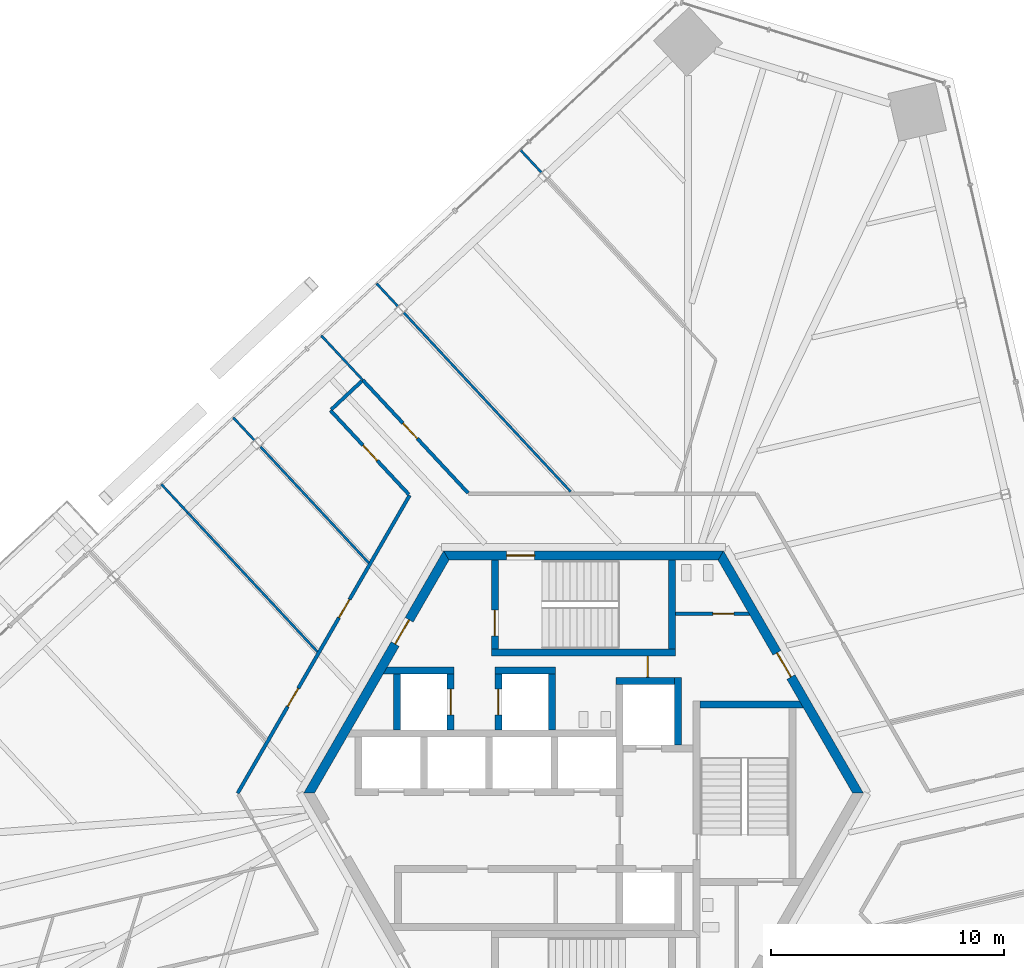
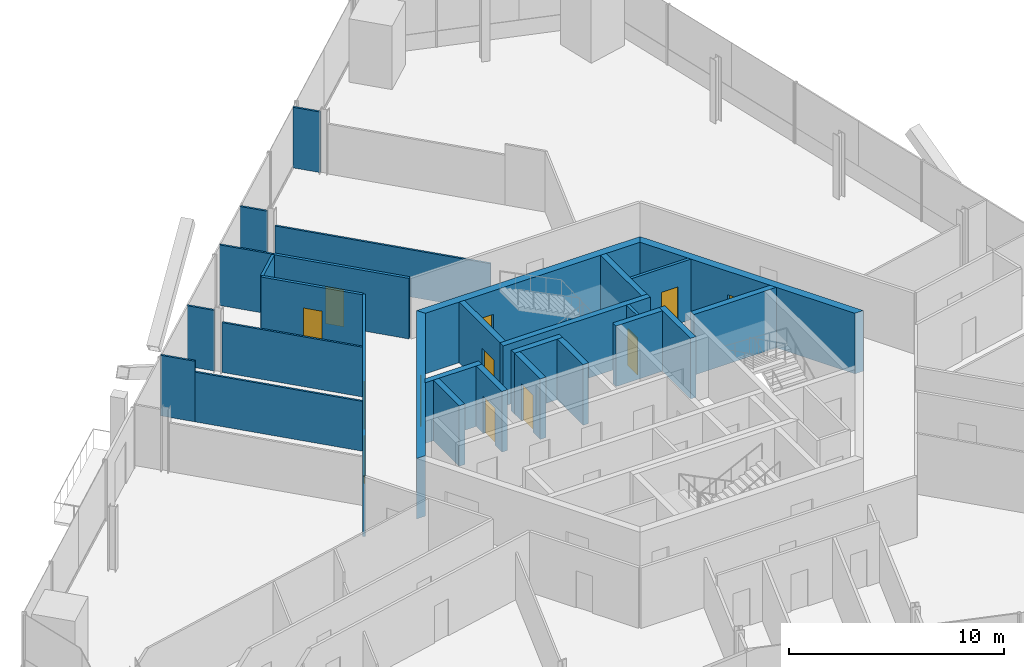
# One storey, part 15 of 20: 29 walls, 12 doors, 12 openings.
"""IFC4 building model written with IfcOpenShell, lengths in metres."""

from ifc_helpers import new_model, si_unit, direction, frame, frame_2d, origin, place, context, subcontext, project, spatial, polyline, rectangle, outline, extrude, source, transform, mapped, material, layer, layer_set, type_object, element, fill, save


model = new_model("IFC4")

# Units and contexts
model_context = context("Model", 3, precision=1e-05, world=origin(), true_north=direction((0.0, 1.0)))
body_context = subcontext(model_context, "Body", "Model", "MODEL_VIEW")
ifc_project = project(units=[si_unit("LENGTHUNIT", "METRE"), si_unit("AREAUNIT", "SQUARE_METRE"), si_unit("VOLUMEUNIT", "CUBIC_METRE"), si_unit("PLANEANGLEUNIT", "RADIAN"), si_unit("MASSUNIT", "GRAM", prefix="KILO")], contexts=[model_context])

# Site, building, storey
site_placement = place(None, origin())
site = spatial("IfcSite", under=ifc_project, at=site_placement, CompositionType="ELEMENT")
building_placement = place(site_placement, origin())
building = spatial("IfcBuilding", under=site, at=building_placement, Name="Triune Harvest Tower", CompositionType="ELEMENT")
storey_placement = place(building_placement, frame((0.0, 0.0, 116.300048828125)))
storey = spatial("IfcBuildingStorey", under=building, at=storey_placement, Name="L29", CompositionType="ELEMENT", Elevation=116.300048828125)

# Wall, opening, door
ifc_material_1 = material(Name="Gypsum board on steel studs", Category="steel")
ifc_layer_1 = layer(ifc_material_1, 0.14990234375)
ifc_layer_set_1 = layer_set([ifc_layer_1], Name="Gypsum board on steel studs")
wall_type_1 = type_object("IfcWallType", Name="Fire Partition 150 mm", PredefinedType="PARTITIONING", material=ifc_layer_set_1)
wall_1_placement = place(storey_placement, frame((-9.462890625, 17.709716796875, 0.0), z_axis=(0.0, 0.0, 1.0), x_axis=(0.68200524007, -0.731347285848, 0.0)))
wall_1 = element("IfcWall", 1, at=wall_1_placement, inside=storey, type_object=wall_type_1, Name="Partition L29 017", PredefinedType="PARTITIONING", context=body_context, shape_type="SweptSolid", body=[
    extrude(rectangle(XDim=6.615478515625, YDim=0.14990234375, at=frame_2d((3.3076171875, 0.0))), origin(), (0.0, 0.0, 1.0), 3.43994140625),
])
opening_1_placement = place(wall_1_placement, frame((2.525146484375, 0.0, 0.0)))
opening_1 = element("IfcOpeningElement", 2, at=opening_1_placement, cuts=wall_1, Name="Opening L29-011", PredefinedType="OPENING", context=body_context, shape_type="SweptSolid", body=[
    extrude(rectangle(XDim=0.89990234375, YDim=2.10009765625, at=frame_2d((0.449951171875, 1.050048828125))), frame((0.0, 0.0849609375, 0.0), z_axis=(0.0, -1.0, 0.0), x_axis=(1.0, 0.0, 0.0)), (0.0, 0.0, 1.0), 0.169921875),
])
ifc_material_2 = material(Name="Timber and steel door set", Category="steel")
door_type_1 = type_object("IfcDoorType", Name="Single leaf door FD30 left hand 900 x 2100", OperationType="SINGLE_SWING_LEFT", PredefinedType="DOOR", material=ifc_material_2)
door_1_placement = place(opening_1_placement, origin())
door_1 = element("IfcDoor", 3, at=door_1_placement, inside=storey, type_object=door_type_1, Name="Door L29-011 Office 29.11", OperationType="SINGLE_SWING_LEFT", OverallHeight=2.10009765625, OverallWidth=0.89990234375, PredefinedType="DOOR", context=body_context, shape_type="SweptSolid", body=[
    extrude(rectangle(XDim=0.89990234375, YDim=2.10009765625, at=frame_2d((0.449951171875, 1.050048828125))), frame((0.0, 0.02490234375, 0.0), z_axis=(0.0, -1.0, 0.0), x_axis=(1.0, 0.0, 0.0)), (0.0, 0.0, 1.0), 0.050048828125),
])
fill(opening_1, door_1)

# Wall
ifc_material_3 = material(Name="Gypsum board on steel studs", Category="steel")
ifc_layer_2 = layer(ifc_material_3, 0.10009765625)
ifc_layer_set_2 = layer_set([ifc_layer_2], Name="Gypsum board on steel studs")
wall_type_2 = type_object("IfcWallType", Name="Partition 100 mm", PredefinedType="PARTITIONING", material=ifc_layer_set_2)
wall_2_placement = place(storey_placement, frame((-16.957763671875, 12.01611328125, 0.0), z_axis=(0.0, 0.0, 1.0), x_axis=(0.681993340817, -0.731358382109, 0.0)))
element("IfcWall", 4, at=wall_2_placement, inside=storey, type_object=wall_type_2, Name="Partition L29 009a", PredefinedType="PARTITIONING", context=body_context, shape_type="SweptSolid", body=[
    extrude(rectangle(XDim=8.140380859375, YDim=0.10009765625, at=frame_2d((4.0703125, 0.0))), origin(), (0.0, 0.0, 1.0), 2.82763671875),
])

# Wall, opening, door
ifc_material_4 = material(Name="Concrete 70 MPa", Category="concrete")
ifc_layer_3 = layer(ifc_material_4, 0.39990234375)
ifc_layer_set_3 = layer_set([ifc_layer_3], Name="Concrete 70 MPa")
wall_type_3 = type_object("IfcWallType", Name="Core wall 400", PredefinedType="SHEAR", material=ifc_layer_set_3)
shared_shape_1 = source(origin(), body_context, "Body", "SweptSolid", [
    extrude(outline(polyline([(-0.115478515625, -0.199951171875), (11.884521484375, -0.199951171875), (11.653564453125, 0.199951171875), (0.115478515625, 0.199951171875), (-0.115478515625, -0.199951171875)])), origin(), (0.0, 0.0, 1.0), 3.43994140625),
])
wall_3_placement = place(storey_placement, frame((11.76904296875, 0.0, 0.0), z_axis=(0.0, 0.0, 1.0), x_axis=(-0.499996592174, 0.866027371285, 0.0)))
wall_3 = element("IfcWall", 5, at=wall_3_placement, inside=storey, type_object=wall_type_3, Name="Hexagon 0 wall", PredefinedType="SHEAR", context=body_context, shape_type="MappedRepresentation", body=[
    mapped(shared_shape_1, transform((0.0, 0.0, 0.0), scale=1.0)),
])
opening_2_placement = place(wall_3_placement, frame((5.75048828125, 0.0, 0.0)))
opening_2 = element("IfcOpeningElement", 6, at=opening_2_placement, cuts=wall_3, Name="Opening CD-WCP", PredefinedType="OPENING", context=body_context, shape_type="SweptSolid", body=[
    extrude(rectangle(XDim=1.199951171875, YDim=2.10009765625, at=frame_2d((0.60009765625, 1.050048828125))), frame((0.0, 0.2099609375, 0.0), z_axis=(0.0, -1.0, 0.0), x_axis=(1.0, 0.0, 0.0)), (0.0, 0.0, 1.0), 0.419921875),
])
ifc_material_5 = material(Name="Steel S235", Category="steel")
door_type_2 = type_object("IfcDoorType", Name="Lobby door 1200 FD120", OperationType="SINGLE_SWING_LEFT", PredefinedType="DOOR", material=ifc_material_5)
door_2_placement = place(opening_2_placement, frame((1.199951171875, 0.0, 0.0), z_axis=(0.0, 0.0, 1.0), x_axis=(-1.0, 0.0, 0.0)))
door_2 = element("IfcDoor", 7, at=door_2_placement, inside=storey, type_object=door_type_2, Name="Door CD-WCP", OperationType="SINGLE_SWING_RIGHT", OverallHeight=2.10009765625, OverallWidth=1.199951171875, PredefinedType="DOOR", context=body_context, shape_type="SweptSolid", body=[
    extrude(rectangle(XDim=1.199951171875, YDim=2.10009765625, at=frame_2d((0.60009765625, 1.050048828125))), frame((0.0, 0.02490234375, 0.0), z_axis=(0.0, -1.0, 0.0), x_axis=(1.0, 0.0, 0.0)), (0.0, 0.0, 1.0), 0.050048828125),
])
fill(opening_2, door_2)

wall_4_placement = place(storey_placement, frame((5.884521484375, 10.1923828125, 0.0), z_axis=(0.0, 0.0, 1.0), x_axis=(-1.0, 0.0, 0.0)))
wall_4 = element("IfcWall", 8, at=wall_4_placement, inside=storey, type_object=wall_type_3, Name="Hexagon 1 wall", PredefinedType="SHEAR", context=body_context, shape_type="MappedRepresentation", body=[
    mapped(shared_shape_1, transform((0.0, 0.0, 0.0), scale=1.0)),
])
opening_3_placement = place(wall_4_placement, frame((7.984619140625, 0.0, 0.0)))
opening_3 = element("IfcOpeningElement", 9, at=opening_3_placement, cuts=wall_4, Name="Opening CD-S1P", PredefinedType="OPENING", context=body_context, shape_type="SweptSolid", body=[
    extrude(rectangle(XDim=1.199951171875, YDim=2.10009765625, at=frame_2d((0.60009765625, 1.050048828125))), frame((0.0, 0.2099609375, 0.0), z_axis=(0.0, -1.0, 0.0), x_axis=(1.0, 0.0, 0.0)), (0.0, 0.0, 1.0), 0.419921875),
])
ifc_material_6 = material(Name="Steel S235", Category="steel")
door_type_3 = type_object("IfcDoorType", Name="Stair door 1200 FD120", OperationType="SINGLE_SWING_LEFT", PredefinedType="DOOR", material=ifc_material_6)
door_3_placement = place(opening_3_placement, frame((1.199951171875, 0.0, 0.0), z_axis=(0.0, 0.0, 1.0), x_axis=(-1.0, 0.0, 0.0)))
door_3 = element("IfcDoor", 10, at=door_3_placement, inside=storey, type_object=door_type_3, Name="Door CD-S1P", OperationType="SINGLE_SWING_RIGHT", OverallHeight=2.10009765625, OverallWidth=1.199951171875, PredefinedType="DOOR", context=body_context, shape_type="SweptSolid", body=[
    extrude(rectangle(XDim=1.199951171875, YDim=2.10009765625, at=frame_2d((0.60009765625, 1.050048828125))), frame((0.0, 0.02490234375, 0.0), z_axis=(0.0, -1.0, 0.0), x_axis=(1.0, 0.0, 0.0)), (0.0, 0.0, 1.0), 0.050048828125),
])
fill(opening_3, door_3)

wall_5_placement = place(storey_placement, frame((-5.884521484375, 10.1923828125, 0.0), z_axis=(0.0, 0.0, 1.0), x_axis=(-0.499996592174, -0.866027371285, 0.0)))
wall_5 = element("IfcWall", 11, at=wall_5_placement, inside=storey, type_object=wall_type_3, Name="Hexagon 2 wall", PredefinedType="SHEAR", context=body_context, shape_type="MappedRepresentation", body=[
    mapped(shared_shape_1, transform((0.0, 0.0, 0.0), scale=1.0)),
])
opening_4_placement = place(wall_5_placement, frame((3.1845703125, 0.0, 0.0)))
opening_4 = element("IfcOpeningElement", 12, at=opening_4_placement, cuts=wall_5, Name="Opening CD-SVP", PredefinedType="OPENING", context=body_context, shape_type="SweptSolid", body=[
    extrude(rectangle(XDim=1.199951171875, YDim=2.10009765625, at=frame_2d((0.60009765625, 1.050048828125))), frame((0.0, 0.2099609375, 0.0), z_axis=(0.0, -1.0, 0.0), x_axis=(1.0, 0.0, 0.0)), (0.0, 0.0, 1.0), 0.419921875),
])
ifc_material_7 = material(Name="Steel S235", Category="steel")
door_type_4 = type_object("IfcDoorType", Name="Service door 1200 FD120", OperationType="SINGLE_SWING_LEFT", PredefinedType="DOOR", material=ifc_material_7)
door_4_placement = place(opening_4_placement, frame((1.199951171875, 0.0, 0.0), z_axis=(0.0, 0.0, 1.0), x_axis=(-1.0, 0.0, 0.0)))
door_4 = element("IfcDoor", 13, at=door_4_placement, inside=storey, type_object=door_type_4, Name="Door CD-SVP", OperationType="SINGLE_SWING_RIGHT", OverallHeight=2.10009765625, OverallWidth=1.199951171875, PredefinedType="DOOR", context=body_context, shape_type="SweptSolid", body=[
    extrude(rectangle(XDim=1.199951171875, YDim=2.10009765625, at=frame_2d((0.60009765625, 1.050048828125))), frame((0.0, 0.02490234375, 0.0), z_axis=(0.0, -1.0, 0.0), x_axis=(1.0, 0.0, 0.0)), (0.0, 0.0, 1.0), 0.050048828125),
])
fill(opening_4, door_4)

# Walls
ifc_material_8 = material(Name="Concrete 70 MPa", Category="concrete")
ifc_layer_4 = layer(ifc_material_8, 0.300048828125)
ifc_layer_set_4 = layer_set([ifc_layer_4], Name="Concrete 70 MPa")
wall_type_4 = type_object("IfcWallType", Name="Core wall 300", PredefinedType="SHEAR", material=ifc_layer_set_4)
shared_shape_2 = source(origin(), body_context, "Body", "SweptSolid", [
    extrude(rectangle(XDim=2.5, YDim=0.300048828125, at=frame_2d((1.25, 0.0))), origin(), (0.0, 0.0, 1.0), 3.43994140625),
])
wall_6_placement = place(storey_placement, frame((1.39990234375, 4.81005859375, 0.0), z_axis=(0.0, 0.0, 1.0), x_axis=(1.0, 0.0, 0.0)))
element("IfcWall", 14, at=wall_6_placement, inside=storey, type_object=wall_type_4, Name="Ff1 back wall", PredefinedType="SHEAR", context=body_context, shape_type="MappedRepresentation", body=[
    mapped(shared_shape_2, transform((0.0, 0.0, 0.0), scale=1.0)),
])
shared_shape_3 = source(origin(), body_context, "Body", "SweptSolid", [
    extrude(rectangle(XDim=2.89990234375, YDim=0.300048828125, at=frame_2d((1.449951171875, 0.0))), origin(), (0.0, 0.0, 1.0), 3.43994140625),
])
wall_7_placement = place(storey_placement, frame((4.050048828125, 2.06005859375, 0.0), z_axis=(0.0, 0.0, 1.0), x_axis=(0.0, 1.0, 0.0)))
element("IfcWall", 15, at=wall_7_placement, inside=storey, type_object=wall_type_4, Name="Ff1 east wall", PredefinedType="SHEAR", context=body_context, shape_type="MappedRepresentation", body=[
    mapped(shared_shape_3, transform((0.0, 0.0, 0.0), scale=1.0)),
])
shared_shape_4 = source(origin(), body_context, "Body", "SweptSolid", [
    extrude(outline(polyline([(0.0, -0.14990234375), (0.0, 0.14990234375), (4.260009765625, 0.14990234375), (4.43310546875, -0.14990234375), (0.0, -0.14990234375)])), origin(), (0.0, 0.0, 1.0), 3.43994140625),
])
wall_8_placement = place(storey_placement, frame((5.0, 3.800048828125, 0.0), z_axis=(0.0, 0.0, 1.0), x_axis=(1.0, 0.0, 0.0)))
element("IfcWall", 16, at=wall_8_placement, inside=storey, type_object=wall_type_4, Name="Stair e north wall", PredefinedType="SHEAR", context=body_context, shape_type="MappedRepresentation", body=[
    mapped(shared_shape_4, transform((0.0, 0.0, 0.0), scale=1.0)),
])
shared_shape_5 = source(origin(), body_context, "Body", "SweptSolid", [
    extrude(rectangle(XDim=7.89990234375, YDim=0.300048828125, at=frame_2d((3.949951171875, 0.0))), origin(), (0.0, 0.0, 1.0), 3.43994140625),
])
wall_9_placement = place(storey_placement, frame((-3.949951171875, 6.0400390625, 0.0), z_axis=(0.0, 0.0, 1.0), x_axis=(1.0, 0.0, 0.0)))
element("IfcWall", 17, at=wall_9_placement, inside=storey, type_object=wall_type_4, Name="Stair n south wall", PredefinedType="SHEAR", context=body_context, shape_type="MappedRepresentation", body=[
    mapped(shared_shape_5, transform((0.0, 0.0, 0.0), scale=1.0)),
])

# Wall, opening, door
shared_shape_6 = source(origin(), body_context, "Body", "SweptSolid", [
    extrude(outline(polyline([(0.0, -0.14990234375), (0.0, 0.14990234375), (3.80419921875, 0.14990234375), (3.80419921875, -0.14990234375), (0.0, -0.14990234375)])), origin(), (0.0, 0.0, 1.0), 3.43994140625),
])
wall_10_placement = place(storey_placement, frame((-3.800048828125, 6.18994140625, 0.0), z_axis=(0.0, 0.0, 1.0), x_axis=(0.0, 1.0, 0.0)))
wall_10 = element("IfcWall", 18, at=wall_10_placement, inside=storey, type_object=wall_type_4, Name="Stair n west wall", PredefinedType="SHEAR", context=body_context, shape_type="MappedRepresentation", body=[
    mapped(shared_shape_6, transform((0.0, 0.0, 0.0), scale=1.0)),
])
opening_5_placement = place(wall_10_placement, frame((0.56005859375, 0.0, 0.0)))
opening_5 = element("IfcOpeningElement", 19, at=opening_5_placement, cuts=wall_10, Name="Opening CD-S1L", PredefinedType="OPENING", context=body_context, shape_type="SweptSolid", body=[
    extrude(rectangle(XDim=1.10009765625, YDim=2.10009765625, at=frame_2d((0.550048828125, 1.050048828125))), frame((0.0, 0.16015625, 0.0), z_axis=(0.0, -1.0, 0.0), x_axis=(1.0, 0.0, 0.0)), (0.0, 0.0, 1.0), 0.320068359375),
])
ifc_material_9 = material(Name="Steel S235", Category="steel")
door_type_5 = type_object("IfcDoorType", Name="Stair door 1100 FD120", OperationType="SINGLE_SWING_LEFT", PredefinedType="DOOR", material=ifc_material_9)
door_5_placement = place(opening_5_placement, frame((1.10009765625, 0.0, 0.0), z_axis=(0.0, 0.0, 1.0), x_axis=(-1.0, 0.0, 0.0)))
door_5 = element("IfcDoor", 20, at=door_5_placement, inside=storey, type_object=door_type_5, Name="Door CD-S1L", OperationType="SINGLE_SWING_RIGHT", OverallHeight=2.10009765625, OverallWidth=1.10009765625, PredefinedType="DOOR", context=body_context, shape_type="SweptSolid", body=[
    extrude(rectangle(XDim=1.10009765625, YDim=2.10009765625, at=frame_2d((0.550048828125, 1.050048828125))), frame((0.0, 0.02490234375, 0.0), z_axis=(0.0, -1.0, 0.0), x_axis=(1.0, 0.0, 0.0)), (0.0, 0.0, 1.0), 0.050048828125),
])
fill(opening_5, door_5)

# Walls
wall_11_placement = place(storey_placement, frame((3.800048828125, 6.18994140625, 0.0), z_axis=(0.0, 0.0, 1.0), x_axis=(0.0, 1.0, 0.0)))
element("IfcWall", 21, at=wall_11_placement, inside=storey, type_object=wall_type_4, Name="Stair n east wall", PredefinedType="SHEAR", context=body_context, shape_type="MappedRepresentation", body=[
    mapped(shared_shape_6, transform((0.0, 0.0, 0.0), scale=1.0)),
])
shared_shape_7 = source(origin(), body_context, "Body", "SweptSolid", [
    extrude(outline(polyline([(2.60009765625, -0.14990234375), (-0.440185546875, -0.14990234375), (-0.26708984375, 0.14990234375), (2.60009765625, 0.14990234375), (2.60009765625, -0.14990234375)])), origin(), (0.0, 0.0, 1.0), 3.43994140625),
])
wall_12_placement = place(storey_placement, frame((-8.14990234375, 5.260009765625, 0.0), z_axis=(0.0, 0.0, 1.0), x_axis=(1.0, 0.0, 0.0)))
element("IfcWall", 22, at=wall_12_placement, inside=storey, type_object=wall_type_4, Name="Sv1 north wall", PredefinedType="SHEAR", context=body_context, shape_type="MappedRepresentation", body=[
    mapped(shared_shape_7, transform((0.0, 0.0, 0.0), scale=1.0)),
])
shared_shape_8 = source(origin(), body_context, "Body", "SweptSolid", [
    extrude(rectangle(XDim=2.400146484375, YDim=0.300048828125, at=frame_2d((1.2001953125, 0.0))), origin(), (0.0, 0.0, 1.0), 3.43994140625),
])
wall_13_placement = place(storey_placement, frame((-8.0, 2.7099609375, 0.0), z_axis=(0.0, 0.0, 1.0), x_axis=(0.0, 1.0, 0.0)))
element("IfcWall", 23, at=wall_13_placement, inside=storey, type_object=wall_type_4, Name="Sv1 west wall", PredefinedType="SHEAR", context=body_context, shape_type="MappedRepresentation", body=[
    mapped(shared_shape_8, transform((0.0, 0.0, 0.0), scale=1.0)),
])

# Wall, opening, door
wall_14_placement = place(storey_placement, frame((-5.699951171875, 2.7099609375, 0.0), z_axis=(0.0, 0.0, 1.0), x_axis=(0.0, 1.0, 0.0)))
wall_14 = element("IfcWall", 24, at=wall_14_placement, inside=storey, type_object=wall_type_4, Name="Sv1 east wall", PredefinedType="SHEAR", context=body_context, shape_type="MappedRepresentation", body=[
    mapped(shared_shape_8, transform((0.0, 0.0, 0.0), scale=1.0)),
])
opening_6_placement = place(wall_14_placement, frame((0.64990234375, 0.0, 0.0)))
opening_6 = element("IfcOpeningElement", 25, at=opening_6_placement, cuts=wall_14, Name="Opening LD-SV1-29", PredefinedType="OPENING", context=body_context, shape_type="SweptSolid", body=[
    extrude(rectangle(XDim=1.10009765625, YDim=2.10009765625, at=frame_2d((0.550048828125, 1.050048828125))), frame((0.0, 0.16015625, 0.0), z_axis=(0.0, -1.0, 0.0), x_axis=(1.0, 0.0, 0.0)), (0.0, 0.0, 1.0), 0.320068359375),
])
ifc_material_10 = material(Name="Stainless steel AISI 304", Category="steel")
door_type_6 = type_object("IfcDoorType", Name="Landing door 1100 x 2100", OperationType="DOUBLE_DOOR_SLIDING", PredefinedType="DOOR", material=ifc_material_10)
door_6_placement = place(opening_6_placement, origin())
door_6 = element("IfcDoor", 26, at=door_6_placement, inside=storey, type_object=door_type_6, Name="Door LD-SV1-29", OperationType="DOUBLE_DOOR_SLIDING", OverallHeight=2.10009765625, OverallWidth=1.10009765625, PredefinedType="DOOR", context=body_context, shape_type="SweptSolid", body=[
    extrude(rectangle(XDim=1.10009765625, YDim=2.10009765625, at=frame_2d((0.550048828125, 1.050048828125))), frame((0.0, 0.02490234375, 0.0), z_axis=(0.0, -1.0, 0.0), x_axis=(1.0, 0.0, 0.0)), (0.0, 0.0, 1.0), 0.050048828125),
])
fill(opening_6, door_6)

wall_15_placement = place(storey_placement, frame((-3.64990234375, 2.7099609375, 0.0), z_axis=(0.0, 0.0, 1.0), x_axis=(0.0, 1.0, 0.0)))
wall_15 = element("IfcWall", 27, at=wall_15_placement, inside=storey, type_object=wall_type_4, Name="Sv2 west wall", PredefinedType="SHEAR", context=body_context, shape_type="MappedRepresentation", body=[
    mapped(shared_shape_8, transform((0.0, 0.0, 0.0), scale=1.0)),
])
opening_7_placement = place(wall_15_placement, frame((0.64990234375, 0.0, 0.0)))
opening_7 = element("IfcOpeningElement", 28, at=opening_7_placement, cuts=wall_15, Name="Opening LD-SV2-29", PredefinedType="OPENING", context=body_context, shape_type="SweptSolid", body=[
    extrude(rectangle(XDim=1.10009765625, YDim=2.10009765625, at=frame_2d((0.550048828125, 1.050048828125))), frame((0.0, 0.16015625, 0.0), z_axis=(0.0, -1.0, 0.0), x_axis=(1.0, 0.0, 0.0)), (0.0, 0.0, 1.0), 0.320068359375),
])
door_7_placement = place(opening_7_placement, origin())
door_7 = element("IfcDoor", 29, at=door_7_placement, inside=storey, type_object=door_type_6, Name="Door LD-SV2-29", OperationType="DOUBLE_DOOR_SLIDING", OverallHeight=2.10009765625, OverallWidth=1.10009765625, PredefinedType="DOOR", context=body_context, shape_type="SweptSolid", body=[
    extrude(rectangle(XDim=1.10009765625, YDim=2.10009765625, at=frame_2d((0.550048828125, 1.050048828125))), frame((0.0, 0.02490234375, 0.0), z_axis=(0.0, -1.0, 0.0), x_axis=(1.0, 0.0, 0.0)), (0.0, 0.0, 1.0), 0.050048828125),
])
fill(opening_7, door_7)

# Walls
wall_16_placement = place(storey_placement, frame((-1.35009765625, 2.7099609375, 0.0), z_axis=(0.0, 0.0, 1.0), x_axis=(0.0, 1.0, 0.0)))
element("IfcWall", 30, at=wall_16_placement, inside=storey, type_object=wall_type_4, Name="Sv2 east wall", PredefinedType="SHEAR", context=body_context, shape_type="MappedRepresentation", body=[
    mapped(shared_shape_8, transform((0.0, 0.0, 0.0), scale=1.0)),
])
shared_shape_9 = source(origin(), body_context, "Body", "SweptSolid", [
    extrude(rectangle(XDim=2.60009765625, YDim=0.300048828125, at=frame_2d((1.300048828125, 0.0))), origin(), (0.0, 0.0, 1.0), 3.43994140625),
])
wall_17_placement = place(storey_placement, frame((-3.800048828125, 5.260009765625, 0.0), z_axis=(0.0, 0.0, 1.0), x_axis=(1.0, 0.0, 0.0)))
element("IfcWall", 31, at=wall_17_placement, inside=storey, type_object=wall_type_4, Name="Sv2 north wall", PredefinedType="SHEAR", context=body_context, shape_type="MappedRepresentation", body=[
    mapped(shared_shape_9, transform((0.0, 0.0, 0.0), scale=1.0)),
])

# Wall, opening, door
ifc_material_11 = material(Name="Concrete masonry unit", Category="masonry")
ifc_layer_5 = layer(ifc_material_11, 0.14990234375)
ifc_layer_set_5 = layer_set([ifc_layer_5], Name="Concrete masonry unit")
wall_type_5 = type_object("IfcWallType", Name="Block partition 150 unrated", PredefinedType="PARTITIONING", material=ifc_layer_set_5)
shared_shape_10 = source(origin(), body_context, "Body", "SweptSolid", [
    extrude(outline(polyline([(0.0, -0.074951171875), (0.0, 0.074951171875), (3.1015625, 0.074951171875), (3.18798828125, -0.074951171875), (0.0, -0.074951171875)])), origin(), (0.0, 0.0, 1.0), 3.43994140625),
])
wall_18_placement = place(storey_placement, frame((3.949951171875, 7.699951171875, 0.0), z_axis=(0.0, 0.0, 1.0), x_axis=(1.0, 0.0, 0.0)))
wall_18 = element("IfcWall", 32, at=wall_18_placement, inside=storey, type_object=wall_type_5, Name="Wc women south wall", PredefinedType="PARTITIONING", context=body_context, shape_type="MappedRepresentation", body=[
    mapped(shared_shape_10, transform((0.0, 0.0, 0.0), scale=1.0)),
])
opening_8_placement = place(wall_18_placement, frame((1.60009765625, 0.0, 0.0)))
opening_8 = element("IfcOpeningElement", 33, at=opening_8_placement, cuts=wall_18, Name="Opening CD-WW", PredefinedType="OPENING", context=body_context, shape_type="SweptSolid", body=[
    extrude(rectangle(XDim=0.89990234375, YDim=2.10009765625, at=frame_2d((0.449951171875, 1.050048828125))), frame((0.0, 0.0849609375, 0.0), z_axis=(0.0, -1.0, 0.0), x_axis=(1.0, 0.0, 0.0)), (0.0, 0.0, 1.0), 0.169921875),
])
ifc_material_12 = material(Name="Timber C24", Category="wood")
door_type_7 = type_object("IfcDoorType", Name="WC door 900", OperationType="SINGLE_SWING_LEFT", PredefinedType="DOOR", material=ifc_material_12)
door_8_placement = place(opening_8_placement, origin())
door_8 = element("IfcDoor", 34, at=door_8_placement, inside=storey, type_object=door_type_7, Name="Door CD-WW", OperationType="SINGLE_SWING_LEFT", OverallHeight=2.10009765625, OverallWidth=0.89990234375, PredefinedType="DOOR", context=body_context, shape_type="SweptSolid", body=[
    extrude(rectangle(XDim=0.89990234375, YDim=2.10009765625, at=frame_2d((0.449951171875, 1.050048828125))), frame((0.0, 0.02490234375, 0.0), z_axis=(0.0, -1.0, 0.0), x_axis=(1.0, 0.0, 0.0)), (0.0, 0.0, 1.0), 0.050048828125),
])
fill(opening_8, door_8)

shared_shape_11 = source(origin(), body_context, "Body", "SweptSolid", [
    extrude(rectangle(XDim=0.929931640625, YDim=0.14990234375, at=frame_2d((0.46484375, 0.0))), origin(), (0.0, 0.0, 1.0), 3.43994140625),
])
wall_19_placement = place(storey_placement, frame((2.75, 4.9599609375, 0.0), z_axis=(0.0, 0.0, 1.0), x_axis=(0.0, 1.0, 0.0)))
wall_19 = element("IfcWall", 35, at=wall_19_placement, inside=storey, type_object=wall_type_5, Name="Wc men east b wall", PredefinedType="PARTITIONING", context=body_context, shape_type="MappedRepresentation", body=[
    mapped(shared_shape_11, transform((0.0, 0.0, 0.0), scale=1.0)),
])
opening_9_placement = place(wall_19_placement, frame((0.014892578125, 0.0, 0.0)))
opening_9 = element("IfcOpeningElement", 36, at=opening_9_placement, cuts=wall_19, Name="Opening CD-WM", PredefinedType="OPENING", context=body_context, shape_type="SweptSolid", body=[
    extrude(rectangle(XDim=0.89990234375, YDim=2.10009765625, at=frame_2d((0.449951171875, 1.050048828125))), frame((0.0, 0.0849609375, 0.0), z_axis=(0.0, -1.0, 0.0), x_axis=(1.0, 0.0, 0.0)), (0.0, 0.0, 1.0), 0.169921875),
])
door_9_placement = place(opening_9_placement, origin())
door_9 = element("IfcDoor", 37, at=door_9_placement, inside=storey, type_object=door_type_7, Name="Door CD-WM", OperationType="SINGLE_SWING_LEFT", OverallHeight=2.10009765625, OverallWidth=0.89990234375, PredefinedType="DOOR", context=body_context, shape_type="SweptSolid", body=[
    extrude(rectangle(XDim=0.89990234375, YDim=2.10009765625, at=frame_2d((0.449951171875, 1.050048828125))), frame((0.0, 0.02490234375, 0.0), z_axis=(0.0, -1.0, 0.0), x_axis=(1.0, 0.0, 0.0)), (0.0, 0.0, 1.0), 0.050048828125),
])
fill(opening_9, door_9)

# Walls
shared_shape_12 = source(origin(), body_context, "Body", "SweptSolid", [
    extrude(rectangle(XDim=1.338134765625, YDim=0.10009765625, at=frame_2d((0.6689453125, 0.0))), origin(), (0.0, 0.0, 1.0), 3.43994140625),
])
for number, where, z_axis, x_axis, name in (
    (38, (-15.0205078125, 16.107421875, 0.0), (0.0, 0.0, 1.0), (0.68204515899, -0.731310058114, 0.0), "Partition L29 010"),
    (39, (-8.866455078125, 21.84619140625, 0.0), (0.0, 0.0, 1.0), (0.681954155979, -0.731394920096, 0.0), "Partition L29 019"),
    (40, (-2.71240234375, 27.584716796875, 0.0), (0.0, 0.0, 1.0), (0.68204515899, -0.731310058114, 0.0), "Partition L29 021"),
):
    element("IfcWall", number, at=place(storey_placement, frame(where, z_axis=z_axis, x_axis=x_axis)), inside=storey, type_object=wall_type_2, Name=name, PredefinedType="PARTITIONING", context=body_context, shape_type="MappedRepresentation", body=[
        mapped(shared_shape_12, transform((0.0, 0.0, 0.0), scale=1.0)),
    ])
shared_shape_13 = source(origin(), body_context, "Body", "SweptSolid", [
    extrude(rectangle(XDim=1.671142578125, YDim=0.10009765625, at=frame_2d((0.83544921875, 0.0))), origin(), (0.0, 0.0, 1.0), 3.43994140625),
])
wall_20_placement = place(storey_placement, frame((-18.097412109375, 13.23828125, 0.0), z_axis=(0.0, 0.0, 1.0), x_axis=(0.681985034639, -0.73136612755, 0.0)))
element("IfcWall", 41, at=wall_20_placement, inside=storey, type_object=wall_type_2, Name="Partition L29 009", PredefinedType="PARTITIONING", context=body_context, shape_type="MappedRepresentation", body=[
    mapped(shared_shape_13, transform((0.0, 0.0, 0.0), scale=1.0)),
])
shared_shape_14 = source(origin(), body_context, "Body", "SweptSolid", [
    extrude(rectangle(XDim=1.7900390625, YDim=0.14990234375, at=frame_2d((0.89501953125, 0.0))), origin(), (0.0, 0.0, 1.0), 3.43994140625),
])
wall_21_placement = place(storey_placement, frame((-10.81591796875, 16.447998046875, 0.0), z_axis=(0.0, 0.0, 1.0), x_axis=(0.731427056945, 0.681919687624, 0.0)))
element("IfcWall", 42, at=wall_21_placement, inside=storey, type_object=wall_type_1, Name="Partition L29 046", PredefinedType="PARTITIONING", context=body_context, shape_type="MappedRepresentation", body=[
    mapped(shared_shape_14, transform((0.0, 0.0, 0.0), scale=1.0)),
])
shared_shape_15 = source(origin(), body_context, "Body", "SweptSolid", [
    extrude(rectangle(XDim=6.825927734375, YDim=0.10009765625, at=frame_2d((3.4130859375, 0.0))), origin(), (0.0, 0.0, 1.0), 2.82763671875),
])
wall_22_placement = place(storey_placement, frame((-13.861572265625, 14.86474609375, 0.0), z_axis=(0.0, 0.0, 1.0), x_axis=(0.681997049961, -0.731354923306, 0.0)))
element("IfcWall", 43, at=wall_22_placement, inside=storey, type_object=wall_type_2, Name="Partition L29 011", PredefinedType="PARTITIONING", context=body_context, shape_type="MappedRepresentation", body=[
    mapped(shared_shape_15, transform((0.0, 0.0, 0.0), scale=1.0)),
])
shared_shape_16 = source(origin(), body_context, "Body", "SweptSolid", [
    extrude(rectangle(XDim=10.491943359375, YDim=0.10009765625, at=frame_2d((5.24609375, 0.0))), origin(), (0.0, 0.0, 1.0), 2.682861328125),
])
wall_23_placement = place(storey_placement, frame((-7.707763671875, 20.603515625, 0.0), z_axis=(0.0, 0.0, 1.0), x_axis=(0.681998992862, -0.731353111524, 0.0)))
element("IfcWall", 44, at=wall_23_placement, inside=storey, type_object=wall_type_2, Name="Partition L29 020", PredefinedType="PARTITIONING", context=body_context, shape_type="MappedRepresentation", body=[
    mapped(shared_shape_16, transform((0.0, 0.0, 0.0), scale=1.0)),
])

# Wall, opening, door
shared_shape_17 = source(origin(), body_context, "Body", "SweptSolid", [
    extrude(rectangle(XDim=4.9306640625, YDim=0.14990234375, at=frame_2d((2.46533203125, 0.0))), origin(), (0.0, 0.0, 1.0), 3.43994140625),
])
wall_24_placement = place(storey_placement, frame((-10.852294921875, 16.413818359375, 0.0), z_axis=(0.0, 0.0, 1.0), x_axis=(0.681967098937, -0.731382851841, 0.0)))
wall_24 = element("IfcWall", 45, at=wall_24_placement, inside=storey, type_object=wall_type_1, Name="Partition L29 013", PredefinedType="PARTITIONING", context=body_context, shape_type="MappedRepresentation", body=[
    mapped(shared_shape_17, transform((0.0, 0.0, 0.0), scale=1.0)),
])
opening_10_placement = place(wall_24_placement, frame((2.049072265625, 0.0, 0.0)))
opening_10 = element("IfcOpeningElement", 46, at=opening_10_placement, cuts=wall_24, Name="Opening L29-010", PredefinedType="OPENING", context=body_context, shape_type="SweptSolid", body=[
    extrude(rectangle(XDim=0.89990234375, YDim=2.10009765625, at=frame_2d((0.449951171875, 1.050048828125))), frame((0.0, 0.0849609375, 0.0), z_axis=(0.0, -1.0, 0.0), x_axis=(1.0, 0.0, 0.0)), (0.0, 0.0, 1.0), 0.169921875),
])
door_10_placement = place(opening_10_placement, origin())
door_10 = element("IfcDoor", 47, at=door_10_placement, inside=storey, type_object=door_type_1, Name="Door L29-010 Meeting Room 29.10", OperationType="SINGLE_SWING_LEFT", OverallHeight=2.10009765625, OverallWidth=0.89990234375, PredefinedType="DOOR", context=body_context, shape_type="SweptSolid", body=[
    extrude(rectangle(XDim=0.89990234375, YDim=2.10009765625, at=frame_2d((0.449951171875, 1.050048828125))), frame((0.0, 0.02490234375, 0.0), z_axis=(0.0, -1.0, 0.0), x_axis=(1.0, 0.0, 0.0)), (0.0, 0.0, 1.0), 0.050048828125),
])
fill(opening_10, door_10)

# Wall, openings, doors
shared_shape_18 = source(origin(), body_context, "Body", "SweptSolid", [
    extrude(rectangle(XDim=14.746826171875, YDim=0.14990234375, at=frame_2d((7.37353515625, 0.0))), origin(), (0.0, 0.0, 1.0), 3.43994140625),
])
wall_25_placement = place(storey_placement, frame((-14.8291015625, 0.0, 0.0), z_axis=(0.0, 0.0, 1.0), x_axis=(0.500010025398, 0.866019615541, 0.0)))
wall_25 = element("IfcWall", 48, at=wall_25_placement, inside=storey, type_object=wall_type_1, Name="Partition L29 049", PredefinedType="PARTITIONING", context=body_context, shape_type="MappedRepresentation", body=[
    mapped(shared_shape_18, transform((0.0, 0.0, 0.0), scale=1.0)),
])
opening_11_placement = place(wall_25_placement, frame((4.29150390625, 0.0, 0.0)))
opening_11 = element("IfcOpeningElement", 49, at=opening_11_placement, cuts=wall_25, Name="Opening L29-012", PredefinedType="OPENING", context=body_context, shape_type="SweptSolid", body=[
    extrude(rectangle(XDim=0.89990234375, YDim=2.10009765625, at=frame_2d((0.449951171875, 1.050048828125))), frame((0.0, 0.0849609375, 0.0), z_axis=(0.0, -1.0, 0.0), x_axis=(1.0, 0.0, 0.0)), (0.0, 0.0, 1.0), 0.169921875),
])
opening_12_placement = place(wall_25_placement, frame((8.69091796875, 0.0, 0.0)))
opening_12 = element("IfcOpeningElement", 50, at=opening_12_placement, cuts=wall_25, Name="Opening L29-013", PredefinedType="OPENING", context=body_context, shape_type="SweptSolid", body=[
    extrude(rectangle(XDim=0.89990234375, YDim=2.10009765625, at=frame_2d((0.449951171875, 1.050048828125))), frame((0.0, 0.0849609375, 0.0), z_axis=(0.0, -1.0, 0.0), x_axis=(1.0, 0.0, 0.0)), (0.0, 0.0, 1.0), 0.169921875),
])
door_11_placement = place(opening_11_placement, origin())
door_11 = element("IfcDoor", 51, at=door_11_placement, inside=storey, type_object=door_type_1, Name="Door L29-012 Office 29.12", OperationType="SINGLE_SWING_LEFT", OverallHeight=2.10009765625, OverallWidth=0.89990234375, PredefinedType="DOOR", context=body_context, shape_type="SweptSolid", body=[
    extrude(rectangle(XDim=0.89990234375, YDim=2.10009765625, at=frame_2d((0.449951171875, 1.050048828125))), frame((0.0, 0.02490234375, 0.0), z_axis=(0.0, -1.0, 0.0), x_axis=(1.0, 0.0, 0.0)), (0.0, 0.0, 1.0), 0.050048828125),
])
fill(opening_11, door_11)
ifc_material_13 = material(Name="Timber and steel door set", Category="steel")
door_type_8 = type_object("IfcDoorType", Name="Single leaf door FD30 right hand 900 x 2100", OperationType="SINGLE_SWING_RIGHT", PredefinedType="DOOR", material=ifc_material_13)
door_12_placement = place(opening_12_placement, origin())
door_12 = element("IfcDoor", 52, at=door_12_placement, inside=storey, type_object=door_type_8, Name="Door L29-013 Office 29.13", OperationType="SINGLE_SWING_RIGHT", OverallHeight=2.10009765625, OverallWidth=0.89990234375, PredefinedType="DOOR", context=body_context, shape_type="SweptSolid", body=[
    extrude(rectangle(XDim=0.89990234375, YDim=2.10009765625, at=frame_2d((0.449951171875, 1.050048828125))), frame((0.0, 0.02490234375, 0.0), z_axis=(0.0, -1.0, 0.0), x_axis=(1.0, 0.0, 0.0)), (0.0, 0.0, 1.0), 0.050048828125),
])
fill(opening_12, door_12)

# Wall
shared_shape_19 = source(origin(), body_context, "Body", "SweptSolid", [
    extrude(rectangle(XDim=2.618408203125, YDim=0.10009765625, at=frame_2d((1.30908203125, 0.0))), origin(), (0.0, 0.0, 1.0), 3.43994140625),
])
wall_26_placement = place(storey_placement, frame((-11.24853515625, 19.624755859375, 0.0), z_axis=(0.0, 0.0, 1.0), x_axis=(0.681966025159, -0.731383853069, 0.0)))
element("IfcWall", 53, at=wall_26_placement, inside=storey, type_object=wall_type_2, Name="Partition L29 016", PredefinedType="PARTITIONING", context=body_context, shape_type="MappedRepresentation", body=[
    mapped(shared_shape_19, transform((0.0, 0.0, 0.0), scale=1.0)),
])

save(model, "model.ifc")
